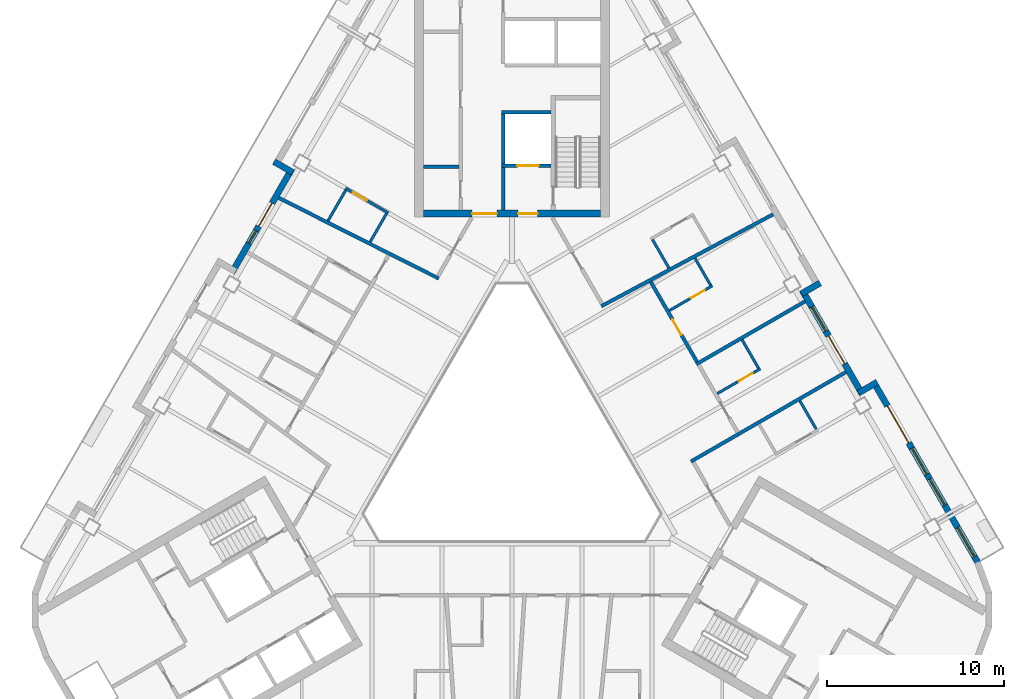
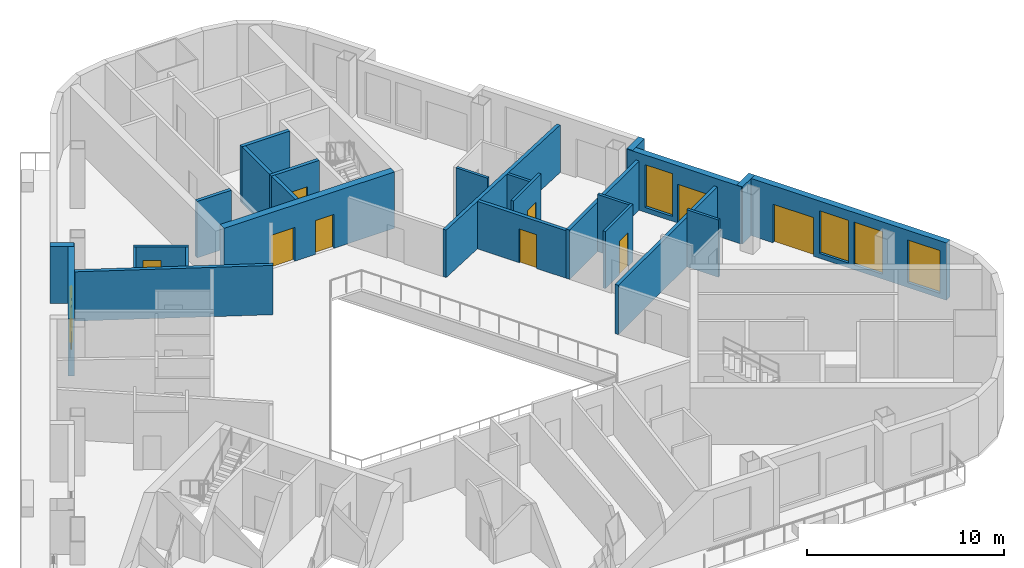
# One storey, part 6 of 14: 26 walls, 10 doors, 5 windows, 15 openings.
"""IFC4 building model written with IfcOpenShell, lengths in metres."""

import ifcopenshell
import ifcopenshell.guid

model = None  # the IFC model being written
_history = None  # IfcOwnerHistory: only IFC2X3 demands one
_inside = {}  # id of a spatial element -> (the spatial element, [elements in it])
_under = {}  # id of a project, library or spatial element -> (it, [spatial elements below it])
_declared = {}  # id of a project -> (the project, [libraries it declares])
_typed = {}  # id of a type object -> (the type object, [elements of that type])
_made_of = {}  # id of a material, layer set ... -> (it, [elements and type objects made of it])


def new_model(schema):
    """Start an empty IFC model of exactly this schema.

    Asked for "IFC4X3", IfcOpenShell would pick the latest addendum, in which some entities
    have other attributes; the version numbers below select the first issue.
    IFC2X3 requires an IfcOwnerHistory on every rooted entity: one is made here for all.
    """
    global model, _history
    if schema == "IFC4X3":
        model = ifcopenshell.file(schema_version=(4, 3, 0, 0))
    else:
        model = ifcopenshell.file(schema=schema)
    _inside.clear()
    _under.clear()
    _declared.clear()
    _typed.clear()
    _made_of.clear()
    _history = None
    if model.schema == "IFC2X3":
        org = make("IfcOrganization", Name="unknown")
        user = make(
            "IfcPersonAndOrganization",
            ThePerson=make("IfcPerson", FamilyName="unknown"),
            TheOrganization=org,
        )
        app = make(
            "IfcApplication",
            ApplicationDeveloper=org,
            Version="unknown",
            ApplicationFullName="unknown",
            ApplicationIdentifier="unknown",
        )
        _history = make(
            "IfcOwnerHistory",
            OwningUser=user,
            OwningApplication=app,
            ChangeAction="ADDED",
            CreationDate=0,
        )
    return model


def make(cls, **values):
    """One entity of the class cls with the attributes given. An attribute that is None is left unset."""
    return model.create_entity(
        cls, **{name: value for name, value in values.items() if value is not None}
    )


def rooted(cls, **values):
    """An entity with a GlobalId (a new one), such as an element, a storey or a relation."""
    return make(cls, GlobalId=ifcopenshell.guid.new(), OwnerHistory=_history, **values)


def si_unit(unit_type, name, prefix=None):
    """IfcSIUnit, for example si_unit("LENGTHUNIT", "METRE", prefix="MILLI")."""
    return make("IfcSIUnit", UnitType=unit_type, Prefix=prefix, Name=name)


def assignment(units):
    """IfcUnitAssignment: the units of a project."""
    return None if units is None else make("IfcUnitAssignment", Units=units)


def point(xyz):
    """IfcCartesianPoint."""
    return None if xyz is None else make("IfcCartesianPoint", Coordinates=xyz)


def direction(xyz):
    """IfcDirection."""
    return None if xyz is None else make("IfcDirection", DirectionRatios=xyz)


def frame(location, z_axis=None, x_axis=None):
    """IfcAxis2Placement3D, a coordinate frame: its origin and axes. An axis left out is left unset."""
    return make(
        "IfcAxis2Placement3D",
        Location=point(location),
        Axis=direction(z_axis),
        RefDirection=direction(x_axis),
    )


def frame_2d(location, x_axis=None):
    """IfcAxis2Placement2D, a coordinate frame in the plane: its origin and x axis."""
    return make(
        "IfcAxis2Placement2D", Location=point(location), RefDirection=direction(x_axis)
    )


def origin():
    """The frame at (0, 0, 0) with its axes left unset."""
    return frame((0.0, 0.0, 0.0))


def place(relative_to, where):
    """IfcLocalPlacement: puts the frame where relative to a parent placement (None: the world)."""
    return make(
        "IfcLocalPlacement", PlacementRelTo=relative_to, RelativePlacement=where
    )


def context(
    kind, dimensions, precision=None, world=None, true_north=None, identifier=None
):
    """IfcGeometricRepresentationContext, for example the 3D "Model" context."""
    return make(
        "IfcGeometricRepresentationContext",
        ContextIdentifier=identifier,
        ContextType=kind,
        CoordinateSpaceDimension=dimensions,
        Precision=precision,
        WorldCoordinateSystem=world,
        TrueNorth=true_north,
    )


def subcontext(parent, identifier, kind, view, scale=None):
    """IfcGeometricRepresentationSubContext, for example "Body" below "Model"."""
    return make(
        "IfcGeometricRepresentationSubContext",
        ContextIdentifier=identifier,
        ContextType=kind,
        ParentContext=parent,
        TargetScale=scale,
        TargetView=view,
    )


def project(units=None, contexts=None):
    """IfcProject with its units and contexts."""
    return rooted(
        "IfcProject",
        Name="project",
        RepresentationContexts=contexts,
        UnitsInContext=assignment(units),
    )


def spatial(cls, under=None, at=None, **own):
    """A site, building, storey or space (cls), placed at a placement, below another one or the project."""
    s = rooted(cls, ObjectPlacement=at, **own)
    if under is not None:
        _under.setdefault(under.id(), (under, []))[1].append(s)
    return s


def profile(cls, at=None, kind="AREA", **sizes):
    """A parametric profile (cls). Its sizes go by their IFC names, for example OverallWidth=200.0."""
    return make(cls, ProfileType=kind, Position=at, **sizes)


def rectangle(**sizes):
    """IfcRectangleProfileDef."""
    return profile("IfcRectangleProfileDef", **sizes)


def extrude(swept, where, along, depth):
    """IfcExtrudedAreaSolid: the profile swept, set in the frame where, extruded along a direction by depth."""
    return make(
        "IfcExtrudedAreaSolid",
        SweptArea=swept,
        Position=where,
        ExtrudedDirection=direction(along),
        Depth=depth,
    )


def shape(context_of_items, identifier, shape_type, items):
    """IfcShapeRepresentation: the items that make up one representation, for example the "Body"."""
    return make(
        "IfcShapeRepresentation",
        ContextOfItems=context_of_items,
        RepresentationIdentifier=identifier,
        RepresentationType=shape_type,
        Items=items,
    )


def material(Name=None, Category=None):
    """IfcMaterial."""
    return make("IfcMaterial", Name=Name, Category=Category)


def layer(
    of_material, thickness, ventilated=None, Name=None, Category=None, Priority=None
):
    """IfcMaterialLayer: one layer of a wall or slab, of a material (None: an air gap)."""
    return make(
        "IfcMaterialLayer",
        Material=of_material,
        LayerThickness=thickness,
        IsVentilated=ventilated,
        Name=Name,
        Category=Category,
        Priority=Priority,
    )


def layer_set(layers, Name=None):
    """IfcMaterialLayerSet."""
    return make("IfcMaterialLayerSet", MaterialLayers=layers, LayerSetName=Name)


def made_of(thing, what):
    """Note that an element or type object is made of a material, layer set ...; save() writes the relation."""
    if what is not None:
        _made_of.setdefault(what.id(), (what, []))[1].append(thing)
    return thing


def type_object(cls, material=None, **own):
    """A type object (cls), such as IfcWallType, which elements share."""
    return made_of(rooted(cls, **own), material)


def element(
    cls,
    number,
    at=None,
    inside=None,
    cuts=None,
    type_object=None,
    material=None,
    context=None,
    identifier="Body",
    shape_type=None,
    held_by="IfcProductDefinitionShape",
    body=None,
    shapes=None,
    **own,
):
    """One element of the class cls, such as IfcWall. Its Tag is "e" and its number.

    at: its placement. inside: the storey or other place that contains it. cuts: it is an
    opening in that element (IfcRelVoidsElement). A single representation is given by context,
    identifier, shape_type and body (its items); several are given by shapes. held_by: the class
    of the entity that holds the representations. save() writes the other relations.
    """
    e = rooted(cls, Tag="e%d" % number, ObjectPlacement=at, **own)
    if body is not None:
        shapes = [shape(context, identifier, shape_type, body)]
    if shapes is not None:
        e.Representation = make(held_by, Representations=shapes)
    if inside is not None:
        _inside.setdefault(inside.id(), (inside, []))[1].append(e)
    if cuts is not None:
        rooted(
            "IfcRelVoidsElement", RelatingBuildingElement=cuts, RelatedOpeningElement=e
        )
    if type_object is not None:
        _typed.setdefault(type_object.id(), (type_object, []))[1].append(e)
    return made_of(e, material)


def fill(opening, filler):
    """IfcRelFillsElement: the door or window that sits in an opening."""
    return rooted(
        "IfcRelFillsElement",
        RelatingOpeningElement=opening,
        RelatedBuildingElement=filler,
    )


def aggregate(whole, parts):
    """IfcRelAggregates: a whole, such as a stair, and the parts it consists of."""
    return rooted("IfcRelAggregates", RelatingObject=whole, RelatedObjects=parts)


def save(model, path):
    """Write the relations noted so far, then the file.

    IfcRelAggregates (storeys below a building ...), IfcRelContainedInSpatialStructure (elements
    in a storey), IfcRelDefinesByType, IfcRelAssociatesMaterial and IfcRelDeclares: one each for
    every whole, place, type object, material and project.
    """
    for whole, parts in _under.values():
        aggregate(whole, parts)
    for where, things in _inside.values():
        rooted(
            "IfcRelContainedInSpatialStructure",
            RelatedElements=things,
            RelatingStructure=where,
        )
    for kind, things in _typed.values():
        rooted("IfcRelDefinesByType", RelatedObjects=things, RelatingType=kind)
    for what, things in _made_of.values():
        rooted("IfcRelAssociatesMaterial", RelatedObjects=things, RelatingMaterial=what)
    for by, libraries in _declared.values():
        rooted("IfcRelDeclares", RelatingContext=by, RelatedDefinitions=libraries)
    model.write(path)


model = new_model("IFC4")

# Units and contexts
model_context = context("Model", 3, precision=1e-05, world=origin(), true_north=direction((0.0, 1.0)))
body_context = subcontext(model_context, "Body", "Model", "MODEL_VIEW")
ifc_project = project(units=[si_unit("LENGTHUNIT", "METRE"), si_unit("AREAUNIT", "SQUARE_METRE"), si_unit("VOLUMEUNIT", "CUBIC_METRE"), si_unit("PLANEANGLEUNIT", "RADIAN"), si_unit("MASSUNIT", "GRAM", prefix="KILO")], contexts=[model_context])

# Site, building, storey
site_placement = place(None, origin())
site = spatial("IfcSite", under=ifc_project, at=site_placement, CompositionType="ELEMENT")
building_placement = place(site_placement, origin())
building = spatial("IfcBuilding", under=site, at=building_placement, Name="Apuvela Tower Hotel", CompositionType="ELEMENT")
storey_placement = place(building_placement, frame((0.0, 0.0, 205.800048828125)))
storey = spatial("IfcBuildingStorey", under=building, at=storey_placement, Name="L50", CompositionType="ELEMENT", Elevation=205.800048828125)

# Wall, openings, doors
ifc_material_1 = material(Name="Concrete C50/60", Category="concrete")
ifc_layer_1 = layer(ifc_material_1, 0.39990234375)
ifc_layer_set_1 = layer_set([ifc_layer_1], Name="COR-WALL-CORE-400")
wall_type_1 = type_object("IfcWallType", Name="COR-WALL-CORE-400", PredefinedType="SHEAR", material=ifc_layer_set_1)
wall_1_placement = place(storey_placement, frame((5.0, 13.10009765625, 0.0), z_axis=(0.0, 0.0, 1.0), x_axis=(-1.0, 0.0, 0.0)))
wall_1 = element("IfcWall", 1, at=wall_1_placement, inside=storey, type_object=wall_type_1, Name="Core wall N", PredefinedType="SHEAR", context=body_context, shape_type="SweptSolid", body=[
    extrude(rectangle(XDim=10.0, YDim=0.39990234375, at=frame_2d((5.0, 0.0))), origin(), (0.0, 0.0, 1.0), 3.5),
])
opening_1_placement = place(wall_1_placement, frame((3.550048828125, 0.0, 0.0)))
opening_1 = element("IfcOpeningElement", 2, at=opening_1_placement, cuts=wall_1, Name="Opening N-FD", PredefinedType="OPENING", context=body_context, shape_type="SweptSolid", body=[
    extrude(rectangle(XDim=1.10009765625, YDim=2.10009765625, at=frame_2d((0.550048828125, 1.050048828125))), frame((0.0, 0.2099609375, 0.0), z_axis=(0.0, -1.0, 0.0), x_axis=(1.0, 0.0, 0.0)), (0.0, 0.0, 1.0), 0.419921875),
])
opening_2_placement = place(wall_1_placement, frame((5.85009765625, 0.0, 0.0)))
opening_2 = element("IfcOpeningElement", 3, at=opening_2_placement, cuts=wall_1, Name="Opening N-GD", PredefinedType="OPENING", context=body_context, shape_type="SweptSolid", body=[
    extrude(rectangle(XDim=1.39990234375, YDim=2.10009765625, at=frame_2d((0.699951171875, 1.050048828125))), frame((0.0, 0.2099609375, 0.0), z_axis=(0.0, -1.0, 0.0), x_axis=(1.0, 0.0, 0.0)), (0.0, 0.0, 1.0), 0.419921875),
])
ifc_material_2 = material(Name="Steel fire door, powder coated", Category="steel")
door_type_1 = type_object("IfcDoorType", Name="COR-FD-1100", OperationType="NOTDEFINED", PredefinedType="DOOR", material=ifc_material_2)
door_1_placement = place(opening_1_placement, frame((1.10009765625, 0.0, 0.0), z_axis=(0.0, 0.0, 1.0), x_axis=(-1.0, 0.0, 0.0)))
door_1 = element("IfcDoor", 4, at=door_1_placement, inside=storey, type_object=door_type_1, Name="Firefighting lobby door N-FD", OperationType="SINGLE_SWING_LEFT", OverallHeight=2.10009765625, OverallWidth=1.10009765625, PredefinedType="DOOR", context=body_context, shape_type="SweptSolid", body=[
    extrude(rectangle(XDim=1.10009765625, YDim=2.10009765625, at=frame_2d((0.550048828125, 1.050048828125))), frame((0.0, 0.02490234375, 0.0), z_axis=(0.0, -1.0, 0.0), x_axis=(1.0, 0.0, 0.0)), (0.0, 0.0, 1.0), 0.050048828125),
])
fill(opening_1, door_1)
ifc_material_3 = material(Name="Glazed steel fire door", Category="steel")
door_type_2 = type_object("IfcDoorType", Name="COR-GD-1400", OperationType="DOUBLE_DOOR_SINGLE_SWING", PredefinedType="DOOR", material=ifc_material_3)
door_2_placement = place(opening_2_placement, frame((1.39990234375, 0.0, 0.0), z_axis=(0.0, 0.0, 1.0), x_axis=(-1.0, 0.0, 0.0)))
door_2 = element("IfcDoor", 5, at=door_2_placement, inside=storey, type_object=door_type_2, Name="Lift lobby door N-GD", OperationType="DOUBLE_DOOR_SINGLE_SWING", OverallHeight=2.10009765625, OverallWidth=1.39990234375, PredefinedType="DOOR", context=body_context, shape_type="SweptSolid", body=[
    extrude(rectangle(XDim=1.39990234375, YDim=2.10009765625, at=frame_2d((0.699951171875, 1.050048828125))), frame((0.0, 0.02490234375, 0.0), z_axis=(0.0, -1.0, 0.0), x_axis=(1.0, 0.0, 0.0)), (0.0, 0.0, 1.0), 0.050048828125),
])
fill(opening_2, door_2)

# Wall
ifc_layer_2 = layer(ifc_material_1, 0.199951171875)
ifc_layer_set_2 = layer_set([ifc_layer_2], Name="COR-WALL-SHAFT-200")
wall_type_2 = type_object("IfcWallType", Name="COR-WALL-SHAFT-200", PredefinedType="SHEAR", material=ifc_layer_set_2)
wall_2_placement = place(storey_placement, frame((2.199951171875, 18.800048828125, 0.0), z_axis=(0.0, 0.0, 1.0), x_axis=(-1.0, 0.0, 0.0)))
element("IfcWall", 6, at=wall_2_placement, inside=storey, type_object=wall_type_2, Name="Shaft wall N", PredefinedType="SHEAR", context=body_context, shape_type="SweptSolid", body=[
    extrude(rectangle(XDim=2.800048828125, YDim=0.199951171875, at=frame_2d((1.39990234375, 0.0))), origin(), (0.0, 0.0, 1.0), 3.5),
])

# Wall, opening, door
wall_3_placement = place(storey_placement, frame((2.199951171875, 15.800048828125, 0.0), z_axis=(0.0, 0.0, 1.0), x_axis=(-1.0, 0.0, 0.0)))
wall_3 = element("IfcWall", 7, at=wall_3_placement, inside=storey, type_object=wall_type_2, Name="Shaft wall N", PredefinedType="SHEAR", context=body_context, shape_type="SweptSolid", body=[
    extrude(rectangle(XDim=2.800048828125, YDim=0.199951171875, at=frame_2d((1.39990234375, 0.0))), origin(), (0.0, 0.0, 1.0), 3.5),
])
opening_3_placement = place(wall_3_placement, frame((0.699951171875, 0.0, 0.0)))
opening_3 = element("IfcOpeningElement", 8, at=opening_3_placement, cuts=wall_3, Name="Opening N-LD-FS1", PredefinedType="OPENING", context=body_context, shape_type="SweptSolid", body=[
    extrude(rectangle(XDim=1.199951171875, YDim=2.10009765625, at=frame_2d((0.60009765625, 1.050048828125))), frame((0.0, 0.10986328125, 0.0), z_axis=(0.0, -1.0, 0.0), x_axis=(1.0, 0.0, 0.0)), (0.0, 0.0, 1.0), 0.219970703125),
])
ifc_material_4 = material(Name="Stainless steel lift landing door", Category="steel")
door_type_3 = type_object("IfcDoorType", Name="COR-LD-1200", OperationType="DOUBLE_DOOR_SLIDING", PredefinedType="DOOR", material=ifc_material_4)
door_3_placement = place(opening_3_placement, origin())
door_3 = element("IfcDoor", 9, at=door_3_placement, inside=storey, type_object=door_type_3, Name="Lift landing door N-LD-FS1", OperationType="DOUBLE_DOOR_SLIDING", OverallHeight=2.10009765625, OverallWidth=1.199951171875, PredefinedType="DOOR", context=body_context, shape_type="SweptSolid", body=[
    extrude(rectangle(XDim=1.199951171875, YDim=2.10009765625, at=frame_2d((0.60009765625, 1.050048828125))), frame((0.0, 0.02490234375, 0.0), z_axis=(0.0, -1.0, 0.0), x_axis=(1.0, 0.0, 0.0)), (0.0, 0.0, 1.0), 0.050048828125),
])
fill(opening_3, door_3)

# Walls
wall_4_placement = place(storey_placement, frame((-0.5, 15.89990234375, 0.0), z_axis=(0.0, 0.0, 1.0), x_axis=(0.0, 1.0, 0.0)))
element("IfcWall", 10, at=wall_4_placement, inside=storey, type_object=wall_type_2, Name="Shaft wall N", PredefinedType="SHEAR", context=body_context, shape_type="SweptSolid", body=[
    extrude(rectangle(XDim=2.800048828125, YDim=0.199951171875, at=frame_2d((1.39990234375, 0.0))), origin(), (0.0, 0.0, 1.0), 3.5),
])
wall_5_placement = place(storey_placement, frame((-0.5, 13.300048828125, 0.0), z_axis=(0.0, 0.0, 1.0), x_axis=(0.0, 1.0, 0.0)))
element("IfcWall", 11, at=wall_5_placement, inside=storey, type_object=wall_type_2, Name="Shaft wall N", PredefinedType="SHEAR", context=body_context, shape_type="SweptSolid", body=[
    extrude(rectangle(XDim=2.39990234375, YDim=0.199951171875, at=frame_2d((1.199951171875, 0.0))), origin(), (0.0, 0.0, 1.0), 3.5),
])
wall_6_placement = place(storey_placement, frame((-3.0, 15.739990234375, 0.0), z_axis=(0.0, 0.0, 1.0), x_axis=(-1.0, 0.0, 0.0)))
element("IfcWall", 12, at=wall_6_placement, inside=storey, type_object=wall_type_2, Name="Shaft wall N", PredefinedType="SHEAR", context=body_context, shape_type="SweptSolid", body=[
    extrude(rectangle(XDim=2.0, YDim=0.199951171875, at=frame_2d((1.0, 0.0))), origin(), (0.0, 0.0, 1.0), 3.5),
])
ifc_material_5 = material(Name="Concrete C40/50, dark pigmented precast panel", Category="concrete")
ifc_layer_3 = layer(ifc_material_5, 0.35009765625)
ifc_layer_set_3 = layer_set([ifc_layer_3], Name="ENV-WALL-350")
wall_type_3 = type_object("IfcWallType", Name="ENV-WALL-350", PredefinedType="SOLIDWALL", material=ifc_layer_set_3)
wall_7_placement = place(storey_placement, frame((-13.41259765625, 16.02880859375, 0.0), z_axis=(0.0, 0.0, 1.0), x_axis=(0.866005645448, -0.500034220881, 0.0)))
element("IfcWall", 13, at=wall_7_placement, inside=storey, type_object=wall_type_3, Name="External wall L50-02", PredefinedType="SOLIDWALL", context=body_context, shape_type="SweptSolid", body=[
    extrude(rectangle(XDim=1.22021484375, YDim=0.35009765625, at=frame_2d((0.610107421875, 0.0))), origin(), (0.0, 0.0, 1.0), 3.550048828125),
])

# Wall, openings, door, window
wall_8_placement = place(storey_placement, frame((-12.408935546875, 15.616943359375, 0.0), z_axis=(0.0, 0.0, 1.0), x_axis=(-0.500003597184, -0.866023326939, 0.0)))
wall_8 = element("IfcWall", 14, at=wall_8_placement, inside=storey, type_object=wall_type_3, Name="External wall L50-03", PredefinedType="SOLIDWALL", context=body_context, shape_type="SweptSolid", body=[
    extrude(rectangle(XDim=6.740234375, YDim=0.35009765625, at=frame_2d((3.3701171875, 0.0))), origin(), (0.0, 0.0, 1.0), 3.550048828125),
])
opening_4_placement = place(wall_8_placement, frame((2.22900390625, 0.0, 0.0)))
opening_4 = element("IfcOpeningElement", 15, at=opening_4_placement, cuts=wall_8, Name="Opening BD15", PredefinedType="OPENING", context=body_context, shape_type="SweptSolid", body=[
    extrude(rectangle(XDim=1.5, YDim=2.39990234375, at=frame_2d((0.75, 1.199951171875))), frame((0.0, 0.18505859375, 0.0), z_axis=(0.0, -1.0, 0.0), x_axis=(1.0, 0.0, 0.0)), (0.0, 0.0, 1.0), 0.3701171875),
])
opening_5_placement = place(wall_8_placement, frame((4.029052734375, 0.0, 0.300048828125)))
opening_5 = element("IfcOpeningElement", 16, at=opening_5_placement, cuts=wall_8, Name="Opening WN08", PredefinedType="OPENING", context=body_context, shape_type="SweptSolid", body=[
    extrude(rectangle(XDim=0.800048828125, YDim=2.64990234375, at=frame_2d((0.39990234375, 1.324951171875))), frame((0.0, 0.18505859375, 0.0), z_axis=(0.0, -1.0, 0.0), x_axis=(1.0, 0.0, 0.0)), (0.0, 0.0, 1.0), 0.3701171875),
])
ifc_material_6 = material(Name="Aluminium 6063-T6, dark bronze anodised frame with dark tinted laminated glass", Category="aluminium")
door_type_4 = type_object("IfcDoorType", Name="ENV-DOOR-BALCONY-1500x2400", OperationType="SLIDING_TO_LEFT", PredefinedType="DOOR", material=ifc_material_6)
door_4_placement = place(opening_4_placement, frame((1.5, 0.0, 0.0), z_axis=(0.0, 0.0, 1.0), x_axis=(-1.0, 0.0, 0.0)))
door_4 = element("IfcDoor", 17, at=door_4_placement, inside=storey, type_object=door_type_4, Name="Balcony door BD15", OperationType="SLIDING_TO_LEFT", OverallHeight=2.39990234375, OverallWidth=1.5, PredefinedType="DOOR", context=body_context, shape_type="SweptSolid", body=[
    extrude(rectangle(XDim=1.5, YDim=2.39990234375, at=frame_2d((0.75, 1.199951171875))), frame((0.0, 0.02490234375, 0.0), z_axis=(0.0, -1.0, 0.0), x_axis=(1.0, 0.0, 0.0)), (0.0, 0.0, 1.0), 0.050048828125),
])
fill(opening_4, door_4)
ifc_material_7 = material(Name="Glass, dark tinted laminated insulated glazing unit", Category="glass")
window_type_1 = type_object("IfcWindowType", Name="ENV-WIN-800x2650", PartitioningType="SINGLE_PANEL", PredefinedType="WINDOW", material=ifc_material_7)
window_1_placement = place(opening_5_placement, origin())
window_1 = element("IfcWindow", 18, at=window_1_placement, inside=storey, type_object=window_type_1, Name="Window WN08", OverallHeight=2.64990234375, OverallWidth=0.800048828125, PartitioningType="SINGLE_PANEL", PredefinedType="WINDOW", context=body_context, shape_type="SweptSolid", body=[
    extrude(rectangle(XDim=0.800048828125, YDim=2.64990234375, at=frame_2d((0.39990234375, 1.324951171875))), frame((0.0, 0.030029296875, 0.0), z_axis=(0.0, -1.0, 0.0), x_axis=(1.0, 0.0, 0.0)), (0.0, 0.0, 1.0), 0.06005859375),
])
fill(opening_5, window_1)

# Wall, openings, door, windows
wall_9_placement = place(storey_placement, frame((26.256591796875, -6.5673828125, 0.0), z_axis=(0.0, 0.0, 1.0), x_axis=(-0.500023526245, 0.866011820475, 0.0)))
wall_9 = element("IfcWall", 19, at=wall_9_placement, inside=storey, type_object=wall_type_3, Name="External wall L50-33", PredefinedType="SOLIDWALL", context=body_context, shape_type="SweptSolid", body=[
    extrude(rectangle(XDim=11.81591796875, YDim=0.35009765625, at=frame_2d((5.907958984375, 0.0))), origin(), (0.0, 0.0, 1.0), 3.550048828125),
])
opening_6_placement = place(wall_9_placement, frame((0.380126953125, 0.0, 0.300048828125)))
opening_6 = element("IfcOpeningElement", 20, at=opening_6_placement, cuts=wall_9, Name="Opening WN19", PredefinedType="OPENING", context=body_context, shape_type="SweptSolid", body=[
    extrude(rectangle(XDim=1.89990234375, YDim=2.64990234375, at=frame_2d((0.949951171875, 1.324951171875))), frame((0.0, 0.18505859375, 0.0), z_axis=(0.0, -1.0, 0.0), x_axis=(1.0, 0.0, 0.0)), (0.0, 0.0, 1.0), 0.3701171875),
])
opening_7_placement = place(wall_9_placement, frame((7.791015625, 0.0, 0.0)))
opening_7 = element("IfcOpeningElement", 21, at=opening_7_placement, cuts=wall_9, Name="Opening BD24", PredefinedType="OPENING", context=body_context, shape_type="SweptSolid", body=[
    extrude(rectangle(XDim=2.39990234375, YDim=2.39990234375, at=frame_2d((1.199951171875, 1.199951171875))), frame((0.0, 0.18505859375, 0.0), z_axis=(0.0, -1.0, 0.0), x_axis=(1.0, 0.0, 0.0)), (0.0, 0.0, 1.0), 0.3701171875),
])
opening_8_placement = place(wall_9_placement, frame((3.74072265625, 0.0, 0.300048828125)))
opening_8 = element("IfcOpeningElement", 22, at=opening_8_placement, cuts=wall_9, Name="Opening WN17", PredefinedType="OPENING", context=body_context, shape_type="SweptSolid", body=[
    extrude(rectangle(XDim=1.699951171875, YDim=2.64990234375, at=frame_2d((0.85009765625, 1.324951171875))), frame((0.0, 0.18505859375, 0.0), z_axis=(0.0, -1.0, 0.0), x_axis=(1.0, 0.0, 0.0)), (0.0, 0.0, 1.0), 0.3701171875),
])
opening_9_placement = place(wall_9_placement, frame((5.74072265625, 0.0, 0.300048828125)))
opening_9 = element("IfcOpeningElement", 23, at=opening_9_placement, cuts=wall_9, Name="Opening WN17", PredefinedType="OPENING", context=body_context, shape_type="SweptSolid", body=[
    extrude(rectangle(XDim=1.699951171875, YDim=2.64990234375, at=frame_2d((0.85009765625, 1.324951171875))), frame((0.0, 0.18505859375, 0.0), z_axis=(0.0, -1.0, 0.0), x_axis=(1.0, 0.0, 0.0)), (0.0, 0.0, 1.0), 0.3701171875),
])
door_type_5 = type_object("IfcDoorType", Name="ENV-DOOR-BALCONY-2400x2400", OperationType="SLIDING_TO_LEFT", PredefinedType="DOOR", material=ifc_material_6)
door_5_placement = place(opening_7_placement, frame((2.39990234375, 0.0, 0.0), z_axis=(0.0, 0.0, 1.0), x_axis=(-1.0, 0.0, 0.0)))
door_5 = element("IfcDoor", 24, at=door_5_placement, inside=storey, type_object=door_type_5, Name="Balcony door BD24", OperationType="SLIDING_TO_LEFT", OverallHeight=2.39990234375, OverallWidth=2.39990234375, PredefinedType="DOOR", context=body_context, shape_type="SweptSolid", body=[
    extrude(rectangle(XDim=2.39990234375, YDim=2.39990234375, at=frame_2d((1.199951171875, 1.199951171875))), frame((0.0, 0.02490234375, 0.0), z_axis=(0.0, -1.0, 0.0), x_axis=(1.0, 0.0, 0.0)), (0.0, 0.0, 1.0), 0.050048828125),
])
fill(opening_7, door_5)
window_type_2 = type_object("IfcWindowType", Name="ENV-WIN-1700x2650", PartitioningType="SINGLE_PANEL", PredefinedType="WINDOW", material=ifc_material_7)
window_2_placement = place(opening_8_placement, origin())
window_2 = element("IfcWindow", 25, at=window_2_placement, inside=storey, type_object=window_type_2, Name="Window WN17", OverallHeight=2.64990234375, OverallWidth=1.699951171875, PartitioningType="SINGLE_PANEL", PredefinedType="WINDOW", context=body_context, shape_type="SweptSolid", body=[
    extrude(rectangle(XDim=1.699951171875, YDim=2.64990234375, at=frame_2d((0.85009765625, 1.324951171875))), frame((0.0, 0.030029296875, 0.0), z_axis=(0.0, -1.0, 0.0), x_axis=(1.0, 0.0, 0.0)), (0.0, 0.0, 1.0), 0.06005859375),
])
fill(opening_8, window_2)
window_3_placement = place(opening_9_placement, origin())
window_3 = element("IfcWindow", 26, at=window_3_placement, inside=storey, type_object=window_type_2, Name="Window WN17", OverallHeight=2.64990234375, OverallWidth=1.699951171875, PartitioningType="SINGLE_PANEL", PredefinedType="WINDOW", context=body_context, shape_type="SweptSolid", body=[
    extrude(rectangle(XDim=1.699951171875, YDim=2.64990234375, at=frame_2d((0.85009765625, 1.324951171875))), frame((0.0, 0.030029296875, 0.0), z_axis=(0.0, -1.0, 0.0), x_axis=(1.0, 0.0, 0.0)), (0.0, 0.0, 1.0), 0.06005859375),
])
fill(opening_9, window_3)
window_type_3 = type_object("IfcWindowType", Name="ENV-WIN-1900x2650", PartitioningType="SINGLE_PANEL", PredefinedType="WINDOW", material=ifc_material_7)
window_4_placement = place(opening_6_placement, origin())
window_4 = element("IfcWindow", 27, at=window_4_placement, inside=storey, type_object=window_type_3, Name="Window WN19", OverallHeight=2.64990234375, OverallWidth=1.89990234375, PartitioningType="SINGLE_PANEL", PredefinedType="WINDOW", context=body_context, shape_type="SweptSolid", body=[
    extrude(rectangle(XDim=1.89990234375, YDim=2.64990234375, at=frame_2d((0.949951171875, 1.324951171875))), frame((0.0, 0.030029296875, 0.0), z_axis=(0.0, -1.0, 0.0), x_axis=(1.0, 0.0, 0.0)), (0.0, 0.0, 1.0), 0.06005859375),
])
fill(opening_6, window_4)

# Wall
wall_10_placement = place(storey_placement, frame((20.587646484375, 3.601318359375, 0.0), z_axis=(0.0, 0.0, 1.0), x_axis=(-0.866005645448, -0.500034220881, 0.0)))
element("IfcWall", 28, at=wall_10_placement, inside=storey, type_object=wall_type_3, Name="External wall L50-34", PredefinedType="SOLIDWALL", context=body_context, shape_type="SweptSolid", body=[
    extrude(rectangle(XDim=1.22021484375, YDim=0.35009765625, at=frame_2d((0.610107421875, 0.0))), origin(), (0.0, 0.0, 1.0), 3.550048828125),
])

# Wall, openings, door, window
wall_11_placement = place(storey_placement, frame((19.72900390625, 2.93798828125, 0.0), z_axis=(0.0, 0.0, 1.0), x_axis=(-0.499976430342, 0.866039011305, 0.0)))
wall_11 = element("IfcWall", 29, at=wall_11_placement, inside=storey, type_object=wall_type_3, Name="External wall L50-35", PredefinedType="SOLIDWALL", context=body_context, shape_type="SweptSolid", body=[
    extrude(rectangle(XDim=6.739990234375, YDim=0.35009765625, at=frame_2d((3.3701171875, 0.0))), origin(), (0.0, 0.0, 1.0), 3.550048828125),
])
opening_10_placement = place(wall_11_placement, frame((1.97021484375, 0.0, 0.0)))
opening_10 = element("IfcOpeningElement", 30, at=opening_10_placement, cuts=wall_11, Name="Opening BD18", PredefinedType="OPENING", context=body_context, shape_type="SweptSolid", body=[
    extrude(rectangle(XDim=1.800048828125, YDim=2.39990234375, at=frame_2d((0.89990234375, 1.199951171875))), frame((0.0, 0.18505859375, 0.0), z_axis=(0.0, -1.0, 0.0), x_axis=(1.0, 0.0, 0.0)), (0.0, 0.0, 1.0), 0.3701171875),
])
opening_11_placement = place(wall_11_placement, frame((4.0703125, 0.0, 0.300048828125)))
opening_11 = element("IfcOpeningElement", 31, at=opening_11_placement, cuts=wall_11, Name="Opening WN16", PredefinedType="OPENING", context=body_context, shape_type="SweptSolid", body=[
    extrude(rectangle(XDim=1.60009765625, YDim=2.64990234375, at=frame_2d((0.800048828125, 1.324951171875))), frame((0.0, 0.18505859375, 0.0), z_axis=(0.0, -1.0, 0.0), x_axis=(1.0, 0.0, 0.0)), (0.0, 0.0, 1.0), 0.3701171875),
])
door_type_6 = type_object("IfcDoorType", Name="ENV-DOOR-BALCONY-1800x2400", OperationType="SLIDING_TO_LEFT", PredefinedType="DOOR", material=ifc_material_6)
door_6_placement = place(opening_10_placement, frame((1.800048828125, 0.0, 0.0), z_axis=(0.0, 0.0, 1.0), x_axis=(-1.0, 0.0, 0.0)))
door_6 = element("IfcDoor", 32, at=door_6_placement, inside=storey, type_object=door_type_6, Name="Balcony door BD18", OperationType="SLIDING_TO_LEFT", OverallHeight=2.39990234375, OverallWidth=1.800048828125, PredefinedType="DOOR", context=body_context, shape_type="SweptSolid", body=[
    extrude(rectangle(XDim=1.800048828125, YDim=2.39990234375, at=frame_2d((0.89990234375, 1.199951171875))), frame((0.0, 0.02490234375, 0.0), z_axis=(0.0, -1.0, 0.0), x_axis=(1.0, 0.0, 0.0)), (0.0, 0.0, 1.0), 0.050048828125),
])
fill(opening_10, door_6)
window_type_4 = type_object("IfcWindowType", Name="ENV-WIN-1600x2650", PartitioningType="SINGLE_PANEL", PredefinedType="WINDOW", material=ifc_material_7)
window_5_placement = place(opening_11_placement, origin())
window_5 = element("IfcWindow", 33, at=window_5_placement, inside=storey, type_object=window_type_4, Name="Window WN16", OverallHeight=2.64990234375, OverallWidth=1.60009765625, PartitioningType="SINGLE_PANEL", PredefinedType="WINDOW", context=body_context, shape_type="SweptSolid", body=[
    extrude(rectangle(XDim=1.60009765625, YDim=2.64990234375, at=frame_2d((0.800048828125, 1.324951171875))), frame((0.0, 0.030029296875, 0.0), z_axis=(0.0, -1.0, 0.0), x_axis=(1.0, 0.0, 0.0)), (0.0, 0.0, 1.0), 0.06005859375),
])
fill(opening_11, window_5)

# Walls
wall_12_placement = place(storey_placement, frame((16.305908203125, 8.5771484375, 0.0), z_axis=(0.0, 0.0, 1.0), x_axis=(0.866092288191, 0.499884134912, 0.0)))
element("IfcWall", 34, at=wall_12_placement, inside=storey, type_object=wall_type_3, Name="External wall L50-36", PredefinedType="SOLIDWALL", context=body_context, shape_type="SweptSolid", body=[
    extrude(rectangle(XDim=1.219970703125, YDim=0.35009765625, at=frame_2d((0.60986328125, 0.0))), origin(), (0.0, 0.0, 1.0), 3.550048828125),
])
ifc_material_8 = material(Name="Gypsum board partition on twin steel stud", Category="steel")
ifc_layer_4 = layer(ifc_material_8, 0.199951171875)
ifc_layer_set_4 = layer_set([ifc_layer_4], Name="GST-PW1")
wall_type_4 = type_object("IfcWallType", Name="GST-PW1", PredefinedType="PARTITIONING", material=ifc_layer_set_4)
wall_13_placement = place(storey_placement, frame((18.817626953125, 4.1669921875, 0.0), z_axis=(0.0, 0.0, 1.0), x_axis=(-0.866039179741, -0.499976138585, 0.0)))
element("IfcWall", 35, at=wall_13_placement, inside=storey, type_object=wall_type_4, Name="L50 partition 04", PredefinedType="PARTITIONING", context=body_context, shape_type="SweptSolid", body=[
    extrude(rectangle(XDim=10.080078125, YDim=0.199951171875, at=frame_2d((5.0400390625, 0.0))), origin(), (0.0, 0.0, 1.0), 3.06005859375),
])
wall_14_placement = place(storey_placement, frame((16.517578125, 8.15087890625, 0.0), z_axis=(0.0, 0.0, 1.0), x_axis=(-0.866027673501, -0.499996068715, 0.0)))
element("IfcWall", 36, at=wall_14_placement, inside=storey, type_object=wall_type_4, Name="L50 partition 05", PredefinedType="PARTITIONING", context=body_context, shape_type="SweptSolid", body=[
    extrude(rectangle(XDim=7.080078125, YDim=0.199951171875, at=frame_2d((3.5400390625, 0.0))), origin(), (0.0, 0.0, 1.0), 3.06005859375),
])
wall_15_placement = place(storey_placement, frame((14.721923828125, 13.060791015625, 0.0), z_axis=(0.0, 0.0, 1.0), x_axis=(-0.881785716662, -0.471650241059, 0.0)))
element("IfcWall", 37, at=wall_15_placement, inside=storey, type_object=wall_type_4, Name="L50 partition 06", PredefinedType="PARTITIONING", context=body_context, shape_type="SweptSolid", body=[
    extrude(rectangle(XDim=10.985595703125, YDim=0.199951171875, at=frame_2d((5.49267578125, 0.0))), origin(), (0.0, 0.0, 1.0), 2.949951171875),
])
wall_16_placement = place(storey_placement, frame((-13.147216796875, 13.988525390625, 0.0), z_axis=(0.0, 0.0, 1.0), x_axis=(0.892898572595, -0.450257858408, 0.0)))
element("IfcWall", 38, at=wall_16_placement, inside=storey, type_object=wall_type_4, Name="L50 partition 07", PredefinedType="PARTITIONING", context=body_context, shape_type="SweptSolid", body=[
    extrude(rectangle(XDim=10.09619140625, YDim=0.199951171875, at=frame_2d((5.048095703125, 0.0))), origin(), (0.0, 0.0, 1.0), 3.06005859375),
])

# Wall, opening, door
ifc_material_9 = material(Name="Gypsum board corridor wall on twin steel stud, acoustic", Category="steel")
ifc_layer_5 = layer(ifc_material_9, 0.199951171875)
ifc_layer_set_5 = layer_set([ifc_layer_5], Name="GST-PW2")
wall_type_5 = type_object("IfcWallType", Name="GST-PW2", PredefinedType="PARTITIONING", material=ifc_layer_set_5)
wall_17_placement = place(storey_placement, frame((7.81982421875, 9.255615234375, 0.0), z_axis=(0.0, 0.0, 1.0), x_axis=(0.499987686533, -0.866032512851, 0.0)))
wall_17 = element("IfcWall", 39, at=wall_17_placement, inside=storey, type_object=wall_type_5, Name="L50 partition 32", PredefinedType="PARTITIONING", context=body_context, shape_type="SweptSolid", body=[
    extrude(rectangle(XDim=5.205810546875, YDim=0.199951171875, at=frame_2d((2.60302734375, 0.0))), origin(), (0.0, 0.0, 1.0), 2.949951171875),
])
opening_12_placement = place(wall_17_placement, frame((2.453125, 0.0, 0.0)))
opening_12 = element("IfcOpeningElement", 40, at=opening_12_placement, cuts=wall_17, Name="Opening GD19-14", PredefinedType="OPENING", context=body_context, shape_type="SweptSolid", body=[
    extrude(rectangle(XDim=1.0, YDim=2.10009765625, at=frame_2d((0.5, 1.050048828125))), frame((0.0, 0.10986328125, 0.0), z_axis=(0.0, -1.0, 0.0), x_axis=(1.0, 0.0, 0.0)), (0.0, 0.0, 1.0), 0.219970703125),
])
ifc_material_10 = material(Name="Timber door leaf in steel frame", Category="steel")
door_type_7 = type_object("IfcDoorType", Name="GST-D1", OperationType="NOTDEFINED", PredefinedType="DOOR", material=ifc_material_10)
door_7_placement = place(opening_12_placement, origin())
door_7 = element("IfcDoor", 41, at=door_7_placement, inside=storey, type_object=door_type_7, Name="Door L50-14", OperationType="SINGLE_SWING_RIGHT", OverallHeight=2.10009765625, OverallWidth=1.0, PredefinedType="DOOR", context=body_context, shape_type="SweptSolid", body=[
    extrude(rectangle(XDim=1.0, YDim=2.10009765625, at=frame_2d((0.5, 1.050048828125))), frame((0.0, 0.02490234375, 0.0), z_axis=(0.0, -1.0, 0.0), x_axis=(1.0, 0.0, 0.0)), (0.0, 0.0, 1.0), 0.050048828125),
])
fill(opening_12, door_7)

# Wall
ifc_material_11 = material(Name="Moisture-resistant gypsum board wet wall on steel stud", Category="steel")
ifc_layer_6 = layer(ifc_material_11, 0.14990234375)
ifc_layer_set_6 = layer_set([ifc_layer_6], Name="GST-PW3")
wall_type_6 = type_object("IfcWallType", Name="GST-PW3", PredefinedType="PARTITIONING", material=ifc_layer_set_6)
wall_18_placement = place(storey_placement, frame((17.146728515625, 0.95068359375, 0.0), z_axis=(0.0, 0.0, 1.0), x_axis=(-0.499985172903, 0.866033964044, 0.0)))
element("IfcWall", 42, at=wall_18_placement, inside=storey, type_object=wall_type_6, Name="L50 partition 27", PredefinedType="PARTITIONING", context=body_context, shape_type="SweptSolid", body=[
    extrude(rectangle(XDim=1.85009765625, YDim=0.14990234375, at=frame_2d((0.925048828125, 0.0))), origin(), (0.0, 0.0, 1.0), 3.550048828125),
])

# Wall, opening, door
wall_19_placement = place(storey_placement, frame((11.57177734375, 2.95703125, 0.0), z_axis=(0.0, 0.0, 1.0), x_axis=(0.865996816683, 0.500049511043, 0.0)))
wall_19 = element("IfcWall", 43, at=wall_19_placement, inside=storey, type_object=wall_type_6, Name="L50 partition 30", PredefinedType="PARTITIONING", context=body_context, shape_type="SweptSolid", body=[
    extrude(rectangle(XDim=2.800048828125, YDim=0.14990234375, at=frame_2d((1.39990234375, 0.0))), origin(), (0.0, 0.0, 1.0), 3.550048828125),
])
opening_13_placement = place(wall_19_placement, frame((1.39990234375, 0.0, 0.0)))
opening_13 = element("IfcOpeningElement", 44, at=opening_13_placement, cuts=wall_19, Name="Opening GD19-11", PredefinedType="OPENING", context=body_context, shape_type="SweptSolid", body=[
    extrude(rectangle(XDim=0.89990234375, YDim=2.10009765625, at=frame_2d((0.449951171875, 1.050048828125))), frame((0.0, 0.0849609375, 0.0), z_axis=(0.0, -1.0, 0.0), x_axis=(1.0, 0.0, 0.0)), (0.0, 0.0, 1.0), 0.169921875),
])
door_type_8 = type_object("IfcDoorType", Name="GST-D2", OperationType="NOTDEFINED", PredefinedType="DOOR", material=ifc_material_10)
door_8_placement = place(opening_13_placement, origin())
door_8 = element("IfcDoor", 45, at=door_8_placement, inside=storey, type_object=door_type_8, Name="Door L50-11", OperationType="SINGLE_SWING_RIGHT", OverallHeight=2.10009765625, OverallWidth=0.89990234375, PredefinedType="DOOR", context=body_context, shape_type="SweptSolid", body=[
    extrude(rectangle(XDim=0.89990234375, YDim=2.10009765625, at=frame_2d((0.449951171875, 1.050048828125))), frame((0.0, 0.02490234375, 0.0), z_axis=(0.0, -1.0, 0.0), x_axis=(1.0, 0.0, 0.0)), (0.0, 0.0, 1.0), 0.050048828125),
])
fill(opening_13, door_8)

# Wall
wall_20_placement = place(storey_placement, frame((13.894287109375, 4.384521484375, 0.0), z_axis=(0.0, 0.0, 1.0), x_axis=(-0.499985172903, 0.866033964044, 0.0)))
element("IfcWall", 46, at=wall_20_placement, inside=storey, type_object=wall_type_6, Name="L50 partition 31", PredefinedType="PARTITIONING", context=body_context, shape_type="SweptSolid", body=[
    extrude(rectangle(XDim=1.85009765625, YDim=0.14990234375, at=frame_2d((0.925048828125, 0.0))), origin(), (0.0, 0.0, 1.0), 3.550048828125),
])

# Wall, opening, door
wall_21_placement = place(storey_placement, frame((8.87060546875, 7.6357421875, 0.0), z_axis=(0.0, 0.0, 1.0), x_axis=(0.865996816683, 0.500049511043, 0.0)))
wall_21 = element("IfcWall", 47, at=wall_21_placement, inside=storey, type_object=wall_type_6, Name="L50 partition 33", PredefinedType="PARTITIONING", context=body_context, shape_type="SweptSolid", body=[
    extrude(rectangle(XDim=2.800048828125, YDim=0.14990234375, at=frame_2d((1.39990234375, 0.0))), origin(), (0.0, 0.0, 1.0), 3.550048828125),
])
opening_14_placement = place(wall_21_placement, frame((1.39990234375, 0.0, 0.0)))
opening_14 = element("IfcOpeningElement", 48, at=opening_14_placement, cuts=wall_21, Name="Opening GD19-13", PredefinedType="OPENING", context=body_context, shape_type="SweptSolid", body=[
    extrude(rectangle(XDim=0.89990234375, YDim=2.10009765625, at=frame_2d((0.449951171875, 1.050048828125))), frame((0.0, 0.0849609375, 0.0), z_axis=(0.0, -1.0, 0.0), x_axis=(1.0, 0.0, 0.0)), (0.0, 0.0, 1.0), 0.169921875),
])
door_9_placement = place(opening_14_placement, origin())
door_9 = element("IfcDoor", 49, at=door_9_placement, inside=storey, type_object=door_type_8, Name="Door L50-13", OperationType="SINGLE_SWING_RIGHT", OverallHeight=2.10009765625, OverallWidth=0.89990234375, PredefinedType="DOOR", context=body_context, shape_type="SweptSolid", body=[
    extrude(rectangle(XDim=0.89990234375, YDim=2.10009765625, at=frame_2d((0.449951171875, 1.050048828125))), frame((0.0, 0.02490234375, 0.0), z_axis=(0.0, -1.0, 0.0), x_axis=(1.0, 0.0, 0.0)), (0.0, 0.0, 1.0), 0.050048828125),
])
fill(opening_14, door_9)

# Walls
wall_22_placement = place(storey_placement, frame((11.19287109375, 9.063232421875, 0.0), z_axis=(0.0, 0.0, 1.0), x_axis=(-0.499910413417, 0.866077120444, 0.0)))
element("IfcWall", 50, at=wall_22_placement, inside=storey, type_object=wall_type_6, Name="L50 partition 34", PredefinedType="PARTITIONING", context=body_context, shape_type="SweptSolid", body=[
    extrude(rectangle(XDim=1.761474609375, YDim=0.14990234375, at=frame_2d((0.880859375, 0.0))), origin(), (0.0, 0.0, 1.0), 2.949951171875),
])
wall_23_placement = place(storey_placement, frame((8.844482421875, 10.03076171875, 0.0), z_axis=(0.0, 0.0, 1.0), x_axis=(-0.499924019097, 0.866069266935, 0.0)))
element("IfcWall", 51, at=wall_23_placement, inside=storey, type_object=wall_type_6, Name="L50 partition 38", PredefinedType="PARTITIONING", context=body_context, shape_type="SweptSolid", body=[
    extrude(rectangle(XDim=1.852294921875, YDim=0.14990234375, at=frame_2d((0.92626953125, 0.0))), origin(), (0.0, 0.0, 1.0), 3.550048828125),
])

# Wall, opening, door
wall_24_placement = place(storey_placement, frame((-6.96533203125, 13.1357421875, 0.0), z_axis=(0.0, 0.0, 1.0), x_axis=(-0.866034573852, 0.49998411664, 0.0)))
wall_24 = element("IfcWall", 52, at=wall_24_placement, inside=storey, type_object=wall_type_6, Name="L50 partition 40", PredefinedType="PARTITIONING", context=body_context, shape_type="SweptSolid", body=[
    extrude(rectangle(XDim=2.7998046875, YDim=0.14990234375, at=frame_2d((1.39990234375, 0.0))), origin(), (0.0, 0.0, 1.0), 2.949951171875),
])
opening_15_placement = place(wall_24_placement, frame((1.39990234375, 0.0, 0.0)))
opening_15 = element("IfcOpeningElement", 53, at=opening_15_placement, cuts=wall_24, Name="Opening GD19-17", PredefinedType="OPENING", context=body_context, shape_type="SweptSolid", body=[
    extrude(rectangle(XDim=0.89990234375, YDim=2.10009765625, at=frame_2d((0.449951171875, 1.050048828125))), frame((0.0, 0.0849609375, 0.0), z_axis=(0.0, -1.0, 0.0), x_axis=(1.0, 0.0, 0.0)), (0.0, 0.0, 1.0), 0.169921875),
])
door_10_placement = place(opening_15_placement, origin())
door_10 = element("IfcDoor", 54, at=door_10_placement, inside=storey, type_object=door_type_8, Name="Door L50-17", OperationType="SINGLE_SWING_RIGHT", OverallHeight=2.10009765625, OverallWidth=0.89990234375, PredefinedType="DOOR", context=body_context, shape_type="SweptSolid", body=[
    extrude(rectangle(XDim=0.89990234375, YDim=2.10009765625, at=frame_2d((0.449951171875, 1.050048828125))), frame((0.0, 0.02490234375, 0.0), z_axis=(0.0, -1.0, 0.0), x_axis=(1.0, 0.0, 0.0)), (0.0, 0.0, 1.0), 0.050048828125),
])
fill(opening_15, door_10)

# Walls
wall_25_placement = place(storey_placement, frame((-9.36279296875, 14.43310546875, 0.0), z_axis=(0.0, 0.0, 1.0), x_axis=(-0.500056363668, -0.86599285976, 0.0)))
element("IfcWall", 55, at=wall_25_placement, inside=storey, type_object=wall_type_6, Name="L50 partition 41", PredefinedType="PARTITIONING", context=body_context, shape_type="SweptSolid", body=[
    extrude(rectangle(XDim=2.004150390625, YDim=0.14990234375, at=frame_2d((1.001953125, 0.0))), origin(), (0.0, 0.0, 1.0), 2.949951171875),
])
wall_26_placement = place(storey_placement, frame((-7.06787109375, 13.108154296875, 0.0), z_axis=(0.0, 0.0, 1.0), x_axis=(-0.4999770169, -0.866038672677, 0.0)))
element("IfcWall", 56, at=wall_26_placement, inside=storey, type_object=wall_type_6, Name="L50 partition 42", PredefinedType="PARTITIONING", context=body_context, shape_type="SweptSolid", body=[
    extrude(rectangle(XDim=1.85400390625, YDim=0.14990234375, at=frame_2d((0.927001953125, 0.0))), origin(), (0.0, 0.0, 1.0), 2.949951171875),
])

save(model, "model.ifc")
